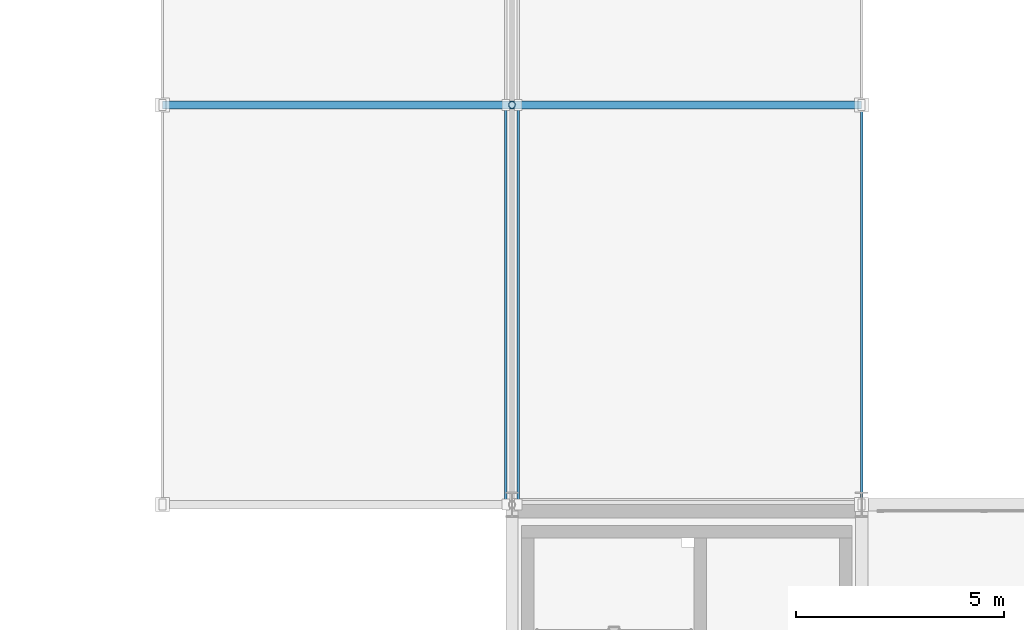
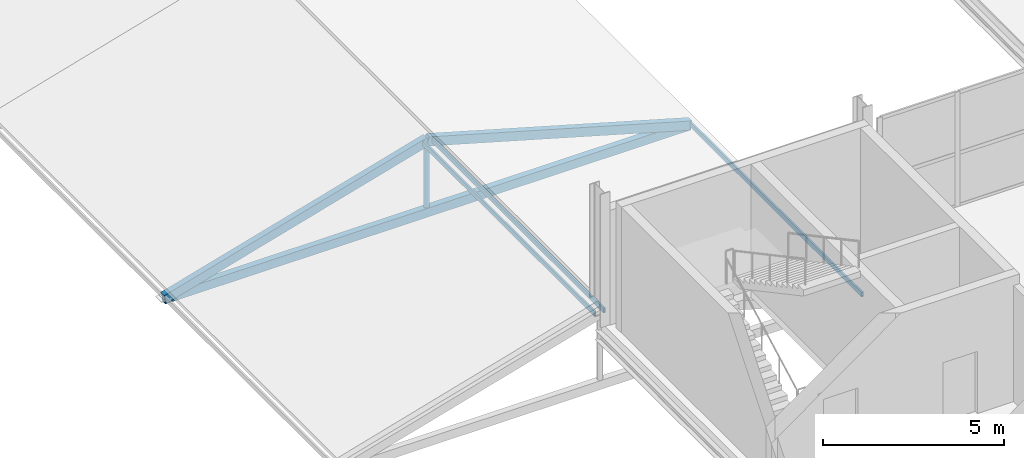
# One storey, part 69 of 130: 7 members.
"""IFC4 building model written with IfcOpenShell, lengths in metres."""

from ifc_helpers import new_model, si_unit, direction, frame, origin, origin_2d, place, context, subcontext, project, spatial, hollow_rectangle, hollow_circle, extrude, material, material_profile, profile_set, type_object, element, save


model = new_model("IFC4")

# Units and contexts
model_context = context("Model", 3, precision=1e-05, world=origin(), true_north=direction((0.0, 1.0)))
body_context = subcontext(model_context, "Body", "Model", "MODEL_VIEW")
ifc_project = project(units=[si_unit("LENGTHUNIT", "METRE"), si_unit("AREAUNIT", "SQUARE_METRE"), si_unit("VOLUMEUNIT", "CUBIC_METRE"), si_unit("PLANEANGLEUNIT", "RADIAN"), si_unit("MASSUNIT", "GRAM", prefix="KILO")], contexts=[model_context])

# Site, building, storey
site_placement = place(None, origin())
site = spatial("IfcSite", under=ifc_project, at=site_placement, CompositionType="ELEMENT")
building_placement = place(site_placement, origin())
building = spatial("IfcBuilding", under=site, at=building_placement, Name="Veltarok Museum of Natural Sciences", CompositionType="ELEMENT")
storey_placement = place(building_placement, frame((0.0, 0.0, 12.89990234375)))
storey = spatial("IfcBuildingStorey", under=building, at=storey_placement, Name="L02", CompositionType="ELEMENT", Elevation=12.89990234375)

# Members
ifc_material_1 = material(Name="Oxide-red painted Steel S355J2", Category="steel")
ifc_material_profile_1 = material_profile(ifc_material_1, hollow_rectangle(XDim=0.199951171875, YDim=0.300048828125, WallThickness=0.012451171875, at=origin_2d()), Name="RHS 300x200x12.5")
ifc_profile_set_1 = profile_set([ifc_material_profile_1], Name="Oxide-red painted Steel S355J2")
member_type_1 = type_object("IfcMemberType", Name="Passage Portal Chord RHS 300x200x12.5", PredefinedType="CHORD", material=ifc_profile_set_1)
member_1_placement = place(storey_placement, frame((31.60009765625, 81.60009765625, -2.099853515625), z_axis=(1.0, 0.0, 0.0), x_axis=(0.0, 1.0, 0.0)))
element("IfcMember", 1, at=member_1_placement, inside=storey, type_object=member_type_1, Name="Passage Portal Tie Chord Y=81.6", PredefinedType="CHORD", context=body_context, shape_type="SweptSolid", body=[
    extrude(hollow_rectangle(XDim=0.199951171875, YDim=0.300048828125, WallThickness=0.012451171875, at=origin_2d()), origin(), (0.0, 0.0, 1.0), 16.7998046875),
])
for number, where, z_axis, x_axis, name in (
    (2, (31.60009765625, 81.60009765625, -2.099853515625), (0.96152605678, 0.0, 0.274713745804), (0.0, 1.0, 0.0), "Passage Portal Chord Y=81.6 1"),
    (3, (40.0, 81.60009765625, 0.300048828125), (0.96152605678, 0.0, -0.274713745804), (0.0, 1.0, 0.0), "Passage Portal Chord Y=81.6 2"),
):
    element("IfcMember", number, at=place(storey_placement, frame(where, z_axis=z_axis, x_axis=x_axis)), inside=storey, type_object=member_type_1, Name=name, PredefinedType="CHORD", context=body_context, shape_type="SweptSolid", body=[
        extrude(hollow_rectangle(XDim=0.199951171875, YDim=0.300048828125, WallThickness=0.012451171875, at=origin_2d()), origin(), (0.0, 0.0, 1.0), 8.736083984375),
    ])
ifc_material_2 = material(Name="Steel S355J2", Category="steel")
ifc_material_profile_2 = material_profile(ifc_material_2, hollow_rectangle(XDim=0.06005859375, YDim=0.159912109375, WallThickness=0.0048828125, at=origin_2d()), Name="RHS 160x60x5")
ifc_profile_set_2 = profile_set([ifc_material_profile_2], Name="Steel S355J2")
member_type_2 = type_object("IfcMemberType", Name="Sawtooth Roof Purlin RHS 160x60x5", PredefinedType="PURLIN", material=ifc_profile_set_2)
for number, where, z_axis, x_axis, name in (
    (4, (39.85009765625, 72.0, 0.300048828125), (0.0, 1.0, 0.0), (-1.0, 0.0, 0.0), "Passage Longitudinal Tie RW H-J"),
    (5, (40.14990234375, 72.0, 0.300048828125), (0.0, 1.0, 0.0), (-1.0, 0.0, 0.0), "Passage Longitudinal Tie RE H-J"),
    (6, (48.39990234375, 72.0, -2.0498046875), (0.0, 1.0, 0.0), (-1.0, 0.0, 0.0), "Passage Longitudinal Tie E H-J"),
):
    element("IfcMember", number, at=place(storey_placement, frame(where, z_axis=z_axis, x_axis=x_axis)), inside=storey, type_object=member_type_2, Name=name, PredefinedType="PURLIN", context=body_context, shape_type="SweptSolid", body=[
        extrude(hollow_rectangle(XDim=0.06005859375, YDim=0.159912109375, WallThickness=0.0048828125, at=origin_2d()), origin(), (0.0, 0.0, 1.0), 9.60009765625),
    ])
ifc_material_profile_3 = material_profile(ifc_material_1, hollow_circle(Radius=0.084228515625, WallThickness=0.008056640625, at=origin_2d()), Name="CHS 168.3x8")
ifc_profile_set_3 = profile_set([ifc_material_profile_3], Name="Oxide-red painted Steel S355J2")
member_type_3 = type_object("IfcMemberType", Name="Sawtooth Truss Vertical Strut CHS 168.3x8", PredefinedType="STRUT", material=ifc_profile_set_3)
member_2_placement = place(storey_placement, frame((40.0, 81.60009765625, -2.099853515625), z_axis=(0.0, 0.0, 1.0), x_axis=(1.0, 0.0, 0.0)))
element("IfcMember", 7, at=member_2_placement, inside=storey, type_object=member_type_3, Name="Passage Portal King-Post Y=81.6", PredefinedType="STRUT", context=body_context, shape_type="SweptSolid", body=[
    extrude(hollow_circle(Radius=0.084228515625, WallThickness=0.008056640625, at=origin_2d()), origin(), (0.0, 0.0, 1.0), 2.39990234375),
])

save(model, "model.ifc")
